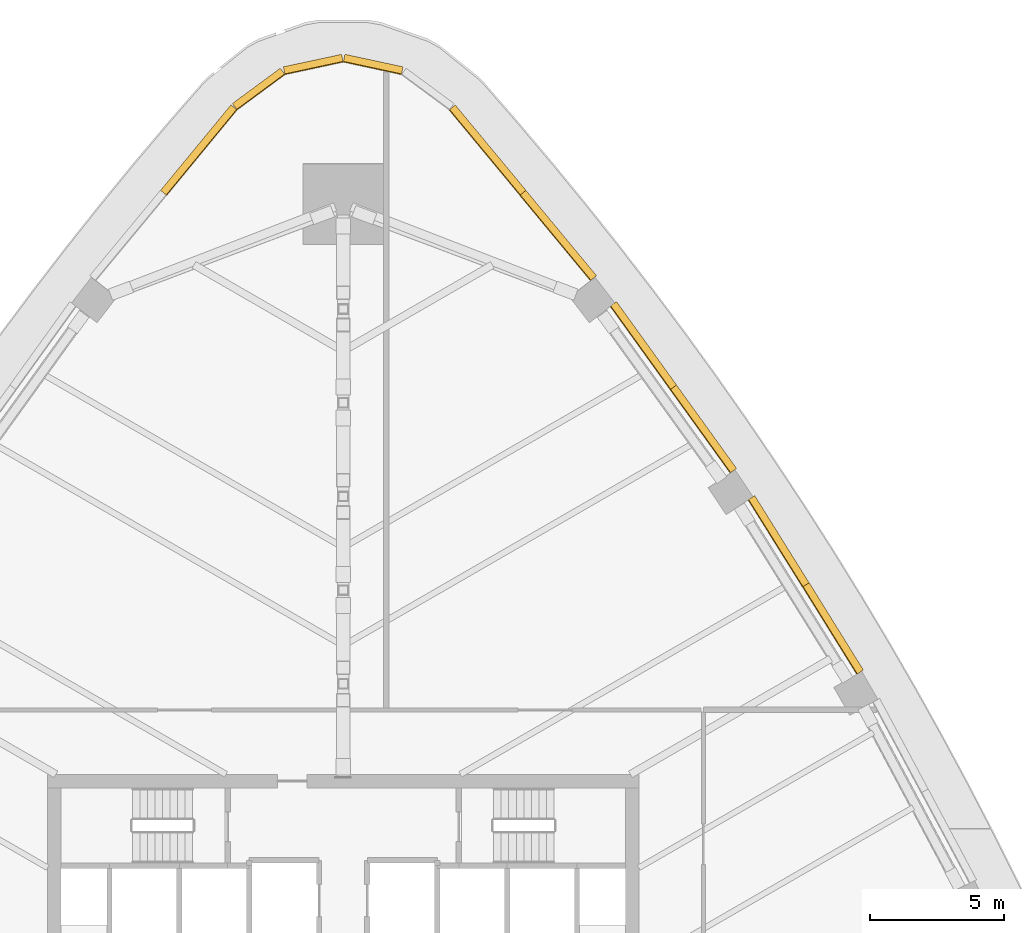
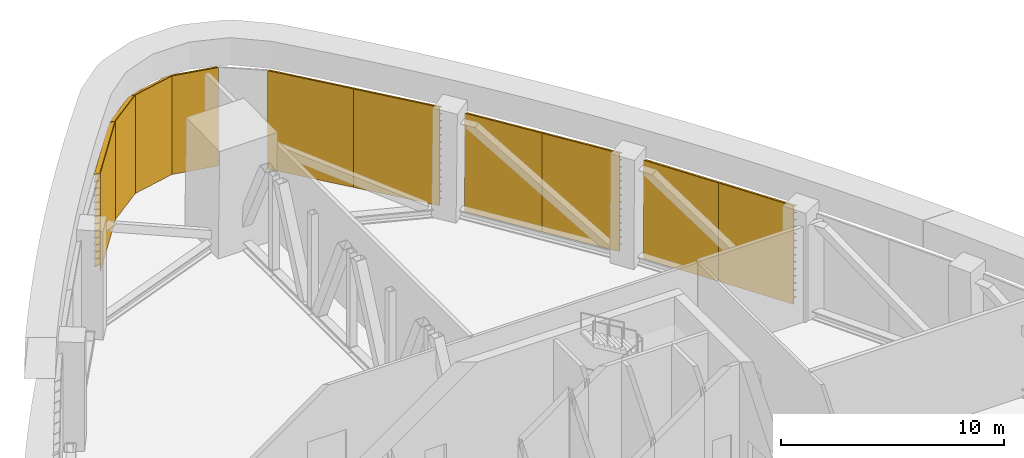
# One storey, part 17 of 18: 10 shading devices.
"""IFC4 building model written with IfcOpenShell, lengths in metres."""

from ifc_helpers import new_model, si_unit, direction, frame, origin, place, context, subcontext, project, spatial, polyline, outline, extrude, material, type_object, element, save


model = new_model("IFC4")

# Units and contexts
model_context = context("Model", 3, precision=1e-05, world=origin(), true_north=direction((0.0, 1.0)))
body_context = subcontext(model_context, "Body", "Model", "MODEL_VIEW")
ifc_project = project(units=[si_unit("LENGTHUNIT", "METRE"), si_unit("AREAUNIT", "SQUARE_METRE"), si_unit("VOLUMEUNIT", "CUBIC_METRE"), si_unit("PLANEANGLEUNIT", "RADIAN"), si_unit("MASSUNIT", "GRAM", prefix="KILO")], contexts=[model_context])

# Site, building, storey
site_placement = place(None, origin())
site = spatial("IfcSite", under=ifc_project, at=site_placement, CompositionType="ELEMENT")
building_placement = place(site_placement, origin())
building = spatial("IfcBuilding", under=site, at=building_placement, Name="Sierra Prisma Convention Tower", CompositionType="ELEMENT")
storey_placement = place(building_placement, frame((0.0, 0.0, 112.60009765625)))
storey = spatial("IfcBuildingStorey", under=building, at=storey_placement, Name="L24", CompositionType="ELEMENT", Elevation=112.60009765625)

# Shading devices
ifc_material = material(Name="Aluminium 6063-T6 bronze anodised", Category="aluminium")
shading_device_type = type_object("IfcShadingDeviceType", Name="Louvre bay bronze", PredefinedType="USERDEFINED", material=ifc_material)
shading_device_1_placement = place(storey_placement, frame((19.105224609375, 11.722900390625, 0.0), z_axis=(0.52751742341, -0.849544211916, 0.0), x_axis=(0.0, 0.0, 1.0)))
element("IfcShadingDevice", 1, at=shading_device_1_placement, inside=storey, type_object=shading_device_type, Name="Louvre L24 NE4.1", ObjectType="LOUVRE", PredefinedType="USERDEFINED", context=body_context, shape_type="SweptSolid", body=[
    extrude(outline(polyline([(0.0, 0.0), (5.39990234375, 0.0), (5.39990234375, -0.030149114934756333), (5.3798828125, -0.030149114934756333), (5.260009765625, -0.30003929156352793), (5.22998046875, -0.30003929156352793), (5.349853515625, -0.030149114934756333), (5.01416015625, -0.030149114934756333), (4.994140625, -0.030149114934756333), (4.874267578125, -0.30003929156352793), (4.84423828125, -0.30003929156352793), (4.964111328125, -0.030149114934756333), (4.62841796875, -0.030149114934756333), (4.6083984375, -0.030149114934756333), (4.488525390625, -0.30003929156352793), (4.45849609375, -0.30003929156352793), (4.578369140625, -0.030149114934756333), (4.24267578125, -0.030149114934756333), (4.22265625, -0.030149114934756333), (4.102783203125, -0.30003929156352793), (4.07275390625, -0.30003929156352793), (4.19287109375, -0.030149114934756333), (3.85693359375, -0.030149114934756333), (3.837158203125, -0.030149114934756333), (3.717041015625, -0.30003929156352793), (3.68701171875, -0.30003929156352793), (3.80712890625, -0.030149114934756333), (3.471435546875, -0.030149114934756333), (3.451416015625, -0.030149114934756333), (3.331298828125, -0.30003929156352793), (3.30126953125, -0.30003929156352793), (3.42138671875, -0.030149114934756333), (3.085693359375, -0.030149114934756333), (3.065673828125, -0.030149114934756333), (2.945556640625, -0.30003929156352793), (2.91552734375, -0.30003929156352793), (3.03564453125, -0.030149114934756333), (2.699951171875, -0.030149114934756333), (2.679931640625, -0.030149114934756333), (2.559814453125, -0.30003929156352793), (2.52978515625, -0.30003929156352793), (2.64990234375, -0.030149114934756333), (2.314208984375, -0.030149114934756333), (2.294189453125, -0.030149114934756333), (2.174072265625, -0.30003929156352793), (2.144287109375, -0.30003929156352793), (2.26416015625, -0.030149114934756333), (1.928466796875, -0.030149114934756333), (1.908447265625, -0.030149114934756333), (1.78857421875, -0.30003929156352793), (1.758544921875, -0.30003929156352793), (1.87841796875, -0.030149114934756333), (1.542724609375, -0.030149114934756333), (1.522705078125, -0.030149114934756333), (1.40283203125, -0.30003929156352793), (1.372802734375, -0.30003929156352793), (1.49267578125, -0.030149114934756333), (1.156982421875, -0.030149114934756333), (1.136962890625, -0.030149114934756333), (1.01708984375, -0.30003929156352793), (0.987060546875, -0.30003929156352793), (1.10693359375, -0.030149114934756333), (0.771240234375, -0.030149114934756333), (0.751220703125, -0.030149114934756333), (0.63134765625, -0.30003929156352793), (0.601318359375, -0.30003929156352793), (0.721435546875, -0.030149114934756333), (0.385498046875, -0.030149114934756333), (0.36572265625, -0.030149114934756333), (0.24560546875, -0.30003929156352793), (0.215576171875, -0.30003929156352793), (0.335693359375, -0.030149114934756333), (0.0, -0.030149114934756333), (0.0, 0.0)])), origin(), (0.0, 0.0, -1.0), 3.823486328125),
])
shading_device_2_placement = place(storey_placement, frame((17.084228515625, 14.968505859375, 0.0), z_axis=(0.529227993266, -0.84847965865, 0.0), x_axis=(0.0, 0.0, 1.0)))
element("IfcShadingDevice", 2, at=shading_device_2_placement, inside=storey, type_object=shading_device_type, Name="Louvre L24 NE4.2", ObjectType="LOUVRE", PredefinedType="USERDEFINED", context=body_context, shape_type="SweptSolid", body=[
    extrude(outline(polyline([(0.0, 0.0), (5.39990234375, 0.0), (5.39990234375, -0.029941822280747165), (5.3798828125, -0.029941822280747165), (5.260009765625, -0.2999104618169163), (5.22998046875, -0.2999104618169163), (5.349853515625, -0.029941822280747165), (5.01416015625, -0.029941822280747165), (4.994140625, -0.029941822280747165), (4.874267578125, -0.2999104618169163), (4.84423828125, -0.2999104618169163), (4.964111328125, -0.029941822280747165), (4.62841796875, -0.029941822280747165), (4.6083984375, -0.029941822280747165), (4.488525390625, -0.2999104618169163), (4.45849609375, -0.2999104618169163), (4.578369140625, -0.029941822280747165), (4.24267578125, -0.029941822280747165), (4.22265625, -0.029941822280747165), (4.102783203125, -0.2999104618169163), (4.07275390625, -0.2999104618169163), (4.19287109375, -0.029941822280747165), (3.85693359375, -0.029941822280747165), (3.837158203125, -0.029941822280747165), (3.717041015625, -0.2999104618169163), (3.68701171875, -0.2999104618169163), (3.80712890625, -0.029941822280747165), (3.471435546875, -0.029941822280747165), (3.451416015625, -0.029941822280747165), (3.331298828125, -0.2999104618169163), (3.30126953125, -0.2999104618169163), (3.42138671875, -0.029941822280747165), (3.085693359375, -0.029941822280747165), (3.065673828125, -0.029941822280747165), (2.945556640625, -0.2999104618169163), (2.91552734375, -0.2999104618169163), (3.03564453125, -0.029941822280747165), (2.699951171875, -0.029941822280747165), (2.679931640625, -0.029941822280747165), (2.559814453125, -0.2999104618169163), (2.52978515625, -0.2999104618169163), (2.64990234375, -0.029941822280747165), (2.314208984375, -0.029941822280747165), (2.294189453125, -0.029941822280747165), (2.174072265625, -0.2999104618169163), (2.144287109375, -0.2999104618169163), (2.26416015625, -0.029941822280747165), (1.928466796875, -0.029941822280747165), (1.908447265625, -0.029941822280747165), (1.78857421875, -0.2999104618169163), (1.758544921875, -0.2999104618169163), (1.87841796875, -0.029941822280747165), (1.542724609375, -0.029941822280747165), (1.522705078125, -0.029941822280747165), (1.40283203125, -0.2999104618169163), (1.372802734375, -0.2999104618169163), (1.49267578125, -0.029941822280747165), (1.156982421875, -0.029941822280747165), (1.136962890625, -0.029941822280747165), (1.01708984375, -0.2999104618169163), (0.987060546875, -0.2999104618169163), (1.10693359375, -0.029941822280747165), (0.771240234375, -0.029941822280747165), (0.751220703125, -0.029941822280747165), (0.63134765625, -0.2999104618169163), (0.601318359375, -0.2999104618169163), (0.721435546875, -0.029941822280747165), (0.385498046875, -0.029941822280747165), (0.36572265625, -0.029941822280747165), (0.24560546875, -0.2999104618169163), (0.215576171875, -0.2999104618169163), (0.335693359375, -0.029941822280747165), (0.0, -0.029941822280747165), (0.0, 0.0)])), origin(), (0.0, 0.0, -1.0), 3.823486328125),
])
shading_device_3_placement = place(storey_placement, frame((14.3955078125, 19.210205078125, 0.0), z_axis=(0.584343904773, -0.811506131188, 0.0), x_axis=(0.0, 0.0, 1.0)))
element("IfcShadingDevice", 3, at=shading_device_3_placement, inside=storey, type_object=shading_device_type, Name="Louvre L24 NE5.1", ObjectType="LOUVRE", PredefinedType="USERDEFINED", context=body_context, shape_type="SweptSolid", body=[
    extrude(outline(polyline([(0.0, 0.0), (5.39990234375, 0.0), (5.39990234375, -0.030083831607028794), (5.3798828125, -0.030083831607028794), (5.260009765625, -0.29995862705585724), (5.22998046875, -0.29995862705585724), (5.349853515625, -0.030083831607028794), (5.01416015625, -0.030083831607028794), (4.994140625, -0.030083831607028794), (4.874267578125, -0.29995862705585724), (4.84423828125, -0.29995862705585724), (4.964111328125, -0.030083831607028794), (4.62841796875, -0.030083831607028794), (4.6083984375, -0.030083831607028794), (4.488525390625, -0.29995862705585724), (4.45849609375, -0.29995862705585724), (4.578369140625, -0.030083831607028794), (4.24267578125, -0.030083831607028794), (4.22265625, -0.030083831607028794), (4.102783203125, -0.29995862705585724), (4.07275390625, -0.29995862705585724), (4.19287109375, -0.030083831607028794), (3.85693359375, -0.030083831607028794), (3.837158203125, -0.030083831607028794), (3.717041015625, -0.29995862705585724), (3.68701171875, -0.29995862705585724), (3.80712890625, -0.030083831607028794), (3.471435546875, -0.030083831607028794), (3.451416015625, -0.030083831607028794), (3.331298828125, -0.29995862705585724), (3.30126953125, -0.29995862705585724), (3.42138671875, -0.030083831607028794), (3.085693359375, -0.030083831607028794), (3.065673828125, -0.030083831607028794), (2.945556640625, -0.29995862705585724), (2.91552734375, -0.29995862705585724), (3.03564453125, -0.030083831607028794), (2.699951171875, -0.030083831607028794), (2.679931640625, -0.030083831607028794), (2.559814453125, -0.29995862705585724), (2.52978515625, -0.29995862705585724), (2.64990234375, -0.030083831607028794), (2.314208984375, -0.030083831607028794), (2.294189453125, -0.030083831607028794), (2.174072265625, -0.29995862705585724), (2.144287109375, -0.29995862705585724), (2.26416015625, -0.030083831607028794), (1.928466796875, -0.030083831607028794), (1.908447265625, -0.030083831607028794), (1.78857421875, -0.29995862705585724), (1.758544921875, -0.29995862705585724), (1.87841796875, -0.030083831607028794), (1.542724609375, -0.030083831607028794), (1.522705078125, -0.030083831607028794), (1.40283203125, -0.29995862705585724), (1.372802734375, -0.29995862705585724), (1.49267578125, -0.030083831607028794), (1.156982421875, -0.030083831607028794), (1.136962890625, -0.030083831607028794), (1.01708984375, -0.29995862705585724), (0.987060546875, -0.29995862705585724), (1.10693359375, -0.030083831607028794), (0.771240234375, -0.030083831607028794), (0.751220703125, -0.030083831607028794), (0.63134765625, -0.29995862705585724), (0.601318359375, -0.29995862705585724), (0.721435546875, -0.030083831607028794), (0.385498046875, -0.030083831607028794), (0.36572265625, -0.030083831607028794), (0.24560546875, -0.29995862705585724), (0.215576171875, -0.29995862705585724), (0.335693359375, -0.030083831607028794), (0.0, -0.030083831607028794), (0.0, 0.0)])), origin(), (0.0, 0.0, -1.0), 3.823486328125),
])
shading_device_4_placement = place(storey_placement, frame((12.162353515625, 22.313720703125, 0.0), z_axis=(0.584167630245, -0.811633032703, 0.0), x_axis=(0.0, 0.0, 1.0)))
element("IfcShadingDevice", 4, at=shading_device_4_placement, inside=storey, type_object=shading_device_type, Name="Louvre L24 NE5.2", ObjectType="LOUVRE", PredefinedType="USERDEFINED", context=body_context, shape_type="SweptSolid", body=[
    extrude(outline(polyline([(0.0, 0.0), (5.39990234375, 0.0), (5.39990234375, -0.030083831212865023), (5.3798828125, -0.030083831212865023), (5.260009765625, -0.3001567688361954), (5.22998046875, -0.3001567688361954), (5.349853515625, -0.030083831212865023), (5.01416015625, -0.030083831212865023), (4.994140625, -0.030083831212865023), (4.874267578125, -0.3001567688361954), (4.84423828125, -0.3001567688361954), (4.964111328125, -0.030083831212865023), (4.62841796875, -0.030083831212865023), (4.6083984375, -0.030083831212865023), (4.488525390625, -0.3001567688361954), (4.45849609375, -0.3001567688361954), (4.578369140625, -0.030083831212865023), (4.24267578125, -0.030083831212865023), (4.22265625, -0.030083831212865023), (4.102783203125, -0.3001567688361954), (4.07275390625, -0.3001567688361954), (4.19287109375, -0.030083831212865023), (3.85693359375, -0.030083831212865023), (3.837158203125, -0.030083831212865023), (3.717041015625, -0.3001567688361954), (3.68701171875, -0.3001567688361954), (3.80712890625, -0.030083831212865023), (3.471435546875, -0.030083831212865023), (3.451416015625, -0.030083831212865023), (3.331298828125, -0.3001567688361954), (3.30126953125, -0.3001567688361954), (3.42138671875, -0.030083831212865023), (3.085693359375, -0.030083831212865023), (3.065673828125, -0.030083831212865023), (2.945556640625, -0.3001567688361954), (2.91552734375, -0.3001567688361954), (3.03564453125, -0.030083831212865023), (2.699951171875, -0.030083831212865023), (2.679931640625, -0.030083831212865023), (2.559814453125, -0.3001567688361954), (2.52978515625, -0.3001567688361954), (2.64990234375, -0.030083831212865023), (2.314208984375, -0.030083831212865023), (2.294189453125, -0.030083831212865023), (2.174072265625, -0.3001567688361954), (2.144287109375, -0.3001567688361954), (2.26416015625, -0.030083831212865023), (1.928466796875, -0.030083831212865023), (1.908447265625, -0.030083831212865023), (1.78857421875, -0.3001567688361954), (1.758544921875, -0.3001567688361954), (1.87841796875, -0.030083831212865023), (1.542724609375, -0.030083831212865023), (1.522705078125, -0.030083831212865023), (1.40283203125, -0.3001567688361954), (1.372802734375, -0.3001567688361954), (1.49267578125, -0.030083831212865023), (1.156982421875, -0.030083831212865023), (1.136962890625, -0.030083831212865023), (1.01708984375, -0.3001567688361954), (0.987060546875, -0.3001567688361954), (1.10693359375, -0.030083831212865023), (0.771240234375, -0.030083831212865023), (0.751220703125, -0.030083831212865023), (0.63134765625, -0.3001567688361954), (0.601318359375, -0.3001567688361954), (0.721435546875, -0.030083831212865023), (0.385498046875, -0.030083831212865023), (0.36572265625, -0.030083831212865023), (0.24560546875, -0.3001567688361954), (0.215576171875, -0.3001567688361954), (0.335693359375, -0.030083831212865023), (0.0, -0.030083831212865023), (0.0, 0.0)])), origin(), (0.0, 0.0, -1.0), 3.823486328125),
])
shading_device_5_placement = place(storey_placement, frame((9.19677734375, 26.366943359375, 0.0), z_axis=(0.637729309868, -0.770260558081, 0.0), x_axis=(0.0, 0.0, 1.0)))
element("IfcShadingDevice", 5, at=shading_device_5_placement, inside=storey, type_object=shading_device_type, Name="Louvre L24 NE6.1", ObjectType="LOUVRE", PredefinedType="USERDEFINED", context=body_context, shape_type="SweptSolid", body=[
    extrude(outline(polyline([(0.0, 0.0), (5.39990234375, 0.0), (5.39990234375, -0.0298211373606738), (5.3798828125, -0.0298211373606738), (5.260009765625, -0.29983912812976116), (5.22998046875, -0.29983912812976116), (5.349853515625, -0.0298211373606738), (5.01416015625, -0.0298211373606738), (4.994140625, -0.0298211373606738), (4.874267578125, -0.29983912812976116), (4.84423828125, -0.29983912812976116), (4.964111328125, -0.0298211373606738), (4.62841796875, -0.0298211373606738), (4.6083984375, -0.0298211373606738), (4.488525390625, -0.29983912812976116), (4.45849609375, -0.29983912812976116), (4.578369140625, -0.0298211373606738), (4.24267578125, -0.0298211373606738), (4.22265625, -0.0298211373606738), (4.102783203125, -0.29983912812976116), (4.07275390625, -0.29983912812976116), (4.19287109375, -0.0298211373606738), (3.85693359375, -0.0298211373606738), (3.837158203125, -0.0298211373606738), (3.717041015625, -0.29983912812976116), (3.68701171875, -0.29983912812976116), (3.80712890625, -0.0298211373606738), (3.471435546875, -0.0298211373606738), (3.451416015625, -0.0298211373606738), (3.331298828125, -0.29983912812976116), (3.30126953125, -0.29983912812976116), (3.42138671875, -0.0298211373606738), (3.085693359375, -0.0298211373606738), (3.065673828125, -0.0298211373606738), (2.945556640625, -0.29983912812976116), (2.91552734375, -0.29983912812976116), (3.03564453125, -0.0298211373606738), (2.699951171875, -0.0298211373606738), (2.679931640625, -0.0298211373606738), (2.559814453125, -0.29983912812976116), (2.52978515625, -0.29983912812976116), (2.64990234375, -0.0298211373606738), (2.314208984375, -0.0298211373606738), (2.294189453125, -0.0298211373606738), (2.174072265625, -0.29983912812976116), (2.144287109375, -0.29983912812976116), (2.26416015625, -0.0298211373606738), (1.928466796875, -0.0298211373606738), (1.908447265625, -0.0298211373606738), (1.78857421875, -0.29983912812976116), (1.758544921875, -0.29983912812976116), (1.87841796875, -0.0298211373606738), (1.542724609375, -0.0298211373606738), (1.522705078125, -0.0298211373606738), (1.40283203125, -0.29983912812976116), (1.372802734375, -0.29983912812976116), (1.49267578125, -0.0298211373606738), (1.156982421875, -0.0298211373606738), (1.136962890625, -0.0298211373606738), (1.01708984375, -0.29983912812976116), (0.987060546875, -0.29983912812976116), (1.10693359375, -0.0298211373606738), (0.771240234375, -0.0298211373606738), (0.751220703125, -0.0298211373606738), (0.63134765625, -0.29983912812976116), (0.601318359375, -0.29983912812976116), (0.721435546875, -0.0298211373606738), (0.385498046875, -0.0298211373606738), (0.36572265625, -0.0298211373606738), (0.24560546875, -0.29983912812976116), (0.215576171875, -0.29983912812976116), (0.335693359375, -0.0298211373606738), (0.0, -0.0298211373606738), (0.0, 0.0)])), origin(), (0.0, 0.0, -1.0), 4.123291015625),
])
shading_device_6_placement = place(storey_placement, frame((6.570556640625, 29.545654296875, 0.0), z_axis=(0.638398641609, -0.769705901233, 0.0), x_axis=(0.0, 0.0, 1.0)))
element("IfcShadingDevice", 6, at=shading_device_6_placement, inside=storey, type_object=shading_device_type, Name="Louvre L24 NE6.2", ObjectType="LOUVRE", PredefinedType="USERDEFINED", context=body_context, shape_type="SweptSolid", body=[
    extrude(outline(polyline([(0.0, 0.0), (5.39990234375, 0.0), (5.39990234375, -0.030164930005902528), (5.3798828125, -0.030164930005902528), (5.260009765625, -0.2999945373161155), (5.22998046875, -0.2999945373161155), (5.349853515625, -0.030164930005902528), (5.01416015625, -0.030164930005902528), (4.994140625, -0.030164930005902528), (4.874267578125, -0.2999945373161155), (4.84423828125, -0.2999945373161155), (4.964111328125, -0.030164930005902528), (4.62841796875, -0.030164930005902528), (4.6083984375, -0.030164930005902528), (4.488525390625, -0.2999945373161155), (4.45849609375, -0.2999945373161155), (4.578369140625, -0.030164930005902528), (4.24267578125, -0.030164930005902528), (4.22265625, -0.030164930005902528), (4.102783203125, -0.2999945373161155), (4.07275390625, -0.2999945373161155), (4.19287109375, -0.030164930005902528), (3.85693359375, -0.030164930005902528), (3.837158203125, -0.030164930005902528), (3.717041015625, -0.2999945373161155), (3.68701171875, -0.2999945373161155), (3.80712890625, -0.030164930005902528), (3.471435546875, -0.030164930005902528), (3.451416015625, -0.030164930005902528), (3.331298828125, -0.2999945373161155), (3.30126953125, -0.2999945373161155), (3.42138671875, -0.030164930005902528), (3.085693359375, -0.030164930005902528), (3.065673828125, -0.030164930005902528), (2.945556640625, -0.2999945373161155), (2.91552734375, -0.2999945373161155), (3.03564453125, -0.030164930005902528), (2.699951171875, -0.030164930005902528), (2.679931640625, -0.030164930005902528), (2.559814453125, -0.2999945373161155), (2.52978515625, -0.2999945373161155), (2.64990234375, -0.030164930005902528), (2.314208984375, -0.030164930005902528), (2.294189453125, -0.030164930005902528), (2.174072265625, -0.2999945373161155), (2.144287109375, -0.2999945373161155), (2.26416015625, -0.030164930005902528), (1.928466796875, -0.030164930005902528), (1.908447265625, -0.030164930005902528), (1.78857421875, -0.2999945373161155), (1.758544921875, -0.2999945373161155), (1.87841796875, -0.030164930005902528), (1.542724609375, -0.030164930005902528), (1.522705078125, -0.030164930005902528), (1.40283203125, -0.2999945373161155), (1.372802734375, -0.2999945373161155), (1.49267578125, -0.030164930005902528), (1.156982421875, -0.030164930005902528), (1.136962890625, -0.030164930005902528), (1.01708984375, -0.2999945373161155), (0.987060546875, -0.2999945373161155), (1.10693359375, -0.030164930005902528), (0.771240234375, -0.030164930005902528), (0.751220703125, -0.030164930005902528), (0.63134765625, -0.2999945373161155), (0.601318359375, -0.2999945373161155), (0.721435546875, -0.030164930005902528), (0.385498046875, -0.030164930005902528), (0.36572265625, -0.030164930005902528), (0.24560546875, -0.2999945373161155), (0.215576171875, -0.2999945373161155), (0.335693359375, -0.030164930005902528), (0.0, -0.030164930005902528), (0.0, 0.0)])), origin(), (0.0, 0.0, -1.0), 4.123291015625),
])
shading_device_7_placement = place(storey_placement, frame((2.163330078125, 34.03759765625, 0.0), z_axis=(0.977493734247, -0.210964450816, 0.0), x_axis=(0.0, 0.0, 1.0)))
element("IfcShadingDevice", 7, at=shading_device_7_placement, inside=storey, type_object=shading_device_type, Name="Louvre L24 N2.1", ObjectType="LOUVRE", PredefinedType="USERDEFINED", context=body_context, shape_type="SweptSolid", body=[
    extrude(outline(polyline([(0.0, 0.0), (5.39990234375, 0.0), (5.39990234375, -0.02997664156026396), (5.3798828125, -0.02997664156026396), (5.260009765625, -0.2999020515481024), (5.22998046875, -0.2999020515481024), (5.349853515625, -0.02997664156026396), (5.01416015625, -0.02997664156026396), (4.994140625, -0.02997664156026396), (4.874267578125, -0.2999020515481024), (4.84423828125, -0.2999020515481024), (4.964111328125, -0.02997664156026396), (4.62841796875, -0.02997664156026396), (4.6083984375, -0.02997664156026396), (4.488525390625, -0.2999020515481024), (4.45849609375, -0.2999020515481024), (4.578369140625, -0.02997664156026396), (4.24267578125, -0.02997664156026396), (4.22265625, -0.02997664156026396), (4.102783203125, -0.2999020515481024), (4.07275390625, -0.2999020515481024), (4.19287109375, -0.02997664156026396), (3.85693359375, -0.02997664156026396), (3.837158203125, -0.02997664156026396), (3.717041015625, -0.2999020515481024), (3.68701171875, -0.2999020515481024), (3.80712890625, -0.02997664156026396), (3.471435546875, -0.02997664156026396), (3.451416015625, -0.02997664156026396), (3.331298828125, -0.2999020515481024), (3.30126953125, -0.2999020515481024), (3.42138671875, -0.02997664156026396), (3.085693359375, -0.02997664156026396), (3.065673828125, -0.02997664156026396), (2.945556640625, -0.2999020515481024), (2.91552734375, -0.2999020515481024), (3.03564453125, -0.02997664156026396), (2.699951171875, -0.02997664156026396), (2.679931640625, -0.02997664156026396), (2.559814453125, -0.2999020515481024), (2.52978515625, -0.2999020515481024), (2.64990234375, -0.02997664156026396), (2.314208984375, -0.02997664156026396), (2.294189453125, -0.02997664156026396), (2.174072265625, -0.2999020515481024), (2.144287109375, -0.2999020515481024), (2.26416015625, -0.02997664156026396), (1.928466796875, -0.02997664156026396), (1.908447265625, -0.02997664156026396), (1.78857421875, -0.2999020515481024), (1.758544921875, -0.2999020515481024), (1.87841796875, -0.02997664156026396), (1.542724609375, -0.02997664156026396), (1.522705078125, -0.02997664156026396), (1.40283203125, -0.2999020515481024), (1.372802734375, -0.2999020515481024), (1.49267578125, -0.02997664156026396), (1.156982421875, -0.02997664156026396), (1.136962890625, -0.02997664156026396), (1.01708984375, -0.2999020515481024), (0.987060546875, -0.2999020515481024), (1.10693359375, -0.02997664156026396), (0.771240234375, -0.02997664156026396), (0.751220703125, -0.02997664156026396), (0.63134765625, -0.2999020515481024), (0.601318359375, -0.2999020515481024), (0.721435546875, -0.02997664156026396), (0.385498046875, -0.02997664156026396), (0.36572265625, -0.02997664156026396), (0.24560546875, -0.2999020515481024), (0.215576171875, -0.2999020515481024), (0.335693359375, -0.02997664156026396), (0.0, -0.02997664156026396), (0.0, 0.0)])), origin(), (0.0, 0.0, -1.0), 2.212646484375),
])
shading_device_8_placement = place(storey_placement, frame((0.0, 34.50244140625, 0.0), z_axis=(0.977705410943, 0.209981259671, 0.0), x_axis=(0.0, 0.0, 1.0)))
element("IfcShadingDevice", 8, at=shading_device_8_placement, inside=storey, type_object=shading_device_type, Name="Louvre L24 N3.1", ObjectType="LOUVRE", PredefinedType="USERDEFINED", context=body_context, shape_type="SweptSolid", body=[
    extrude(outline(polyline([(0.0, 0.0), (5.39990234375, 0.0), (5.39990234375, -0.03021529967664407), (5.3798828125, -0.03021529967664407), (5.260009765625, -0.30014088597374416), (5.22998046875, -0.30014088597374416), (5.349853515625, -0.03021529967664407), (5.01416015625, -0.03021529967664407), (4.994140625, -0.03021529967664407), (4.874267578125, -0.30014088597374416), (4.84423828125, -0.30014088597374416), (4.964111328125, -0.03021529967664407), (4.62841796875, -0.03021529967664407), (4.6083984375, -0.03021529967664407), (4.488525390625, -0.30014088597374416), (4.45849609375, -0.30014088597374416), (4.578369140625, -0.03021529967664407), (4.24267578125, -0.03021529967664407), (4.22265625, -0.03021529967664407), (4.102783203125, -0.30014088597374416), (4.07275390625, -0.30014088597374416), (4.19287109375, -0.03021529967664407), (3.85693359375, -0.03021529967664407), (3.837158203125, -0.03021529967664407), (3.717041015625, -0.30014088597374416), (3.68701171875, -0.30014088597374416), (3.80712890625, -0.03021529967664407), (3.471435546875, -0.03021529967664407), (3.451416015625, -0.03021529967664407), (3.331298828125, -0.30014088597374416), (3.30126953125, -0.30014088597374416), (3.42138671875, -0.03021529967664407), (3.085693359375, -0.03021529967664407), (3.065673828125, -0.03021529967664407), (2.945556640625, -0.30014088597374416), (2.91552734375, -0.30014088597374416), (3.03564453125, -0.03021529967664407), (2.699951171875, -0.03021529967664407), (2.679931640625, -0.03021529967664407), (2.559814453125, -0.30014088597374416), (2.52978515625, -0.30014088597374416), (2.64990234375, -0.03021529967664407), (2.314208984375, -0.03021529967664407), (2.294189453125, -0.03021529967664407), (2.174072265625, -0.30014088597374416), (2.144287109375, -0.30014088597374416), (2.26416015625, -0.03021529967664407), (1.928466796875, -0.03021529967664407), (1.908447265625, -0.03021529967664407), (1.78857421875, -0.30014088597374416), (1.758544921875, -0.30014088597374416), (1.87841796875, -0.03021529967664407), (1.542724609375, -0.03021529967664407), (1.522705078125, -0.03021529967664407), (1.40283203125, -0.30014088597374416), (1.372802734375, -0.30014088597374416), (1.49267578125, -0.03021529967664407), (1.156982421875, -0.03021529967664407), (1.136962890625, -0.03021529967664407), (1.01708984375, -0.30014088597374416), (0.987060546875, -0.30014088597374416), (1.10693359375, -0.03021529967664407), (0.771240234375, -0.03021529967664407), (0.751220703125, -0.03021529967664407), (0.63134765625, -0.30014088597374416), (0.601318359375, -0.30014088597374416), (0.721435546875, -0.03021529967664407), (0.385498046875, -0.03021529967664407), (0.36572265625, -0.03021529967664407), (0.24560546875, -0.30014088597374416), (0.215576171875, -0.30014088597374416), (0.335693359375, -0.03021529967664407), (0.0, -0.03021529967664407), (0.0, 0.0)])), origin(), (0.0, 0.0, -1.0), 2.212646484375),
])
shading_device_9_placement = place(storey_placement, frame((-2.163330078125, 34.03759765625, 0.0), z_axis=(0.804898134724, 0.593413003496, 0.0), x_axis=(0.0, 0.0, 1.0)))
element("IfcShadingDevice", 9, at=shading_device_9_placement, inside=storey, type_object=shading_device_type, Name="Louvre L24 N4.1", ObjectType="LOUVRE", PredefinedType="USERDEFINED", context=body_context, shape_type="SweptSolid", body=[
    extrude(outline(polyline([(0.0, 0.0), (5.39990234375, 0.0), (5.39990234375, -0.03003028920724229), (5.3798828125, -0.03003028920724229), (5.260009765625, -0.29996150751719347), (5.22998046875, -0.29996150751719347), (5.349853515625, -0.03003028920724229), (5.01416015625, -0.03003028920724229), (4.994140625, -0.03003028920724229), (4.874267578125, -0.29996150751719347), (4.84423828125, -0.29996150751719347), (4.964111328125, -0.03003028920724229), (4.62841796875, -0.03003028920724229), (4.6083984375, -0.03003028920724229), (4.488525390625, -0.29996150751719347), (4.45849609375, -0.29996150751719347), (4.578369140625, -0.03003028920724229), (4.24267578125, -0.03003028920724229), (4.22265625, -0.03003028920724229), (4.102783203125, -0.29996150751719347), (4.07275390625, -0.29996150751719347), (4.19287109375, -0.03003028920724229), (3.85693359375, -0.03003028920724229), (3.837158203125, -0.03003028920724229), (3.717041015625, -0.29996150751719347), (3.68701171875, -0.29996150751719347), (3.80712890625, -0.03003028920724229), (3.471435546875, -0.03003028920724229), (3.451416015625, -0.03003028920724229), (3.331298828125, -0.29996150751719347), (3.30126953125, -0.29996150751719347), (3.42138671875, -0.03003028920724229), (3.085693359375, -0.03003028920724229), (3.065673828125, -0.03003028920724229), (2.945556640625, -0.29996150751719347), (2.91552734375, -0.29996150751719347), (3.03564453125, -0.03003028920724229), (2.699951171875, -0.03003028920724229), (2.679931640625, -0.03003028920724229), (2.559814453125, -0.29996150751719347), (2.52978515625, -0.29996150751719347), (2.64990234375, -0.03003028920724229), (2.314208984375, -0.03003028920724229), (2.294189453125, -0.03003028920724229), (2.174072265625, -0.29996150751719347), (2.144287109375, -0.29996150751719347), (2.26416015625, -0.03003028920724229), (1.928466796875, -0.03003028920724229), (1.908447265625, -0.03003028920724229), (1.78857421875, -0.29996150751719347), (1.758544921875, -0.29996150751719347), (1.87841796875, -0.03003028920724229), (1.542724609375, -0.03003028920724229), (1.522705078125, -0.03003028920724229), (1.40283203125, -0.29996150751719347), (1.372802734375, -0.29996150751719347), (1.49267578125, -0.03003028920724229), (1.156982421875, -0.03003028920724229), (1.136962890625, -0.03003028920724229), (1.01708984375, -0.29996150751719347), (0.987060546875, -0.29996150751719347), (1.10693359375, -0.03003028920724229), (0.771240234375, -0.03003028920724229), (0.751220703125, -0.03003028920724229), (0.63134765625, -0.29996150751719347), (0.601318359375, -0.29996150751719347), (0.721435546875, -0.03003028920724229), (0.385498046875, -0.03003028920724229), (0.36572265625, -0.03003028920724229), (0.24560546875, -0.29996150751719347), (0.215576171875, -0.29996150751719347), (0.335693359375, -0.03003028920724229), (0.0, -0.03003028920724229), (0.0, 0.0)])), origin(), (0.0, 0.0, -1.0), 2.212646484375),
])
shading_device_10_placement = place(storey_placement, frame((-3.9443359375, 32.724609375, 0.0), z_axis=(0.635780036732, 0.7718702902, 0.0), x_axis=(0.0, 0.0, 1.0)))
element("IfcShadingDevice", 10, at=shading_device_10_placement, inside=storey, type_object=shading_device_type, Name="Louvre L24 NW1.1", ObjectType="LOUVRE", PredefinedType="USERDEFINED", context=body_context, shape_type="SweptSolid", body=[
    extrude(outline(polyline([(0.0, 0.0), (5.39990234375, 0.0), (5.39990234375, -0.030009404402849816), (5.3798828125, -0.030009404402849816), (5.260009765625, -0.29999436854988437), (5.22998046875, -0.29999436854988437), (5.349853515625, -0.030009404402849816), (5.01416015625, -0.030009404402849816), (4.994140625, -0.030009404402849816), (4.874267578125, -0.29999436854988437), (4.84423828125, -0.29999436854988437), (4.964111328125, -0.030009404402849816), (4.62841796875, -0.030009404402849816), (4.6083984375, -0.030009404402849816), (4.488525390625, -0.29999436854988437), (4.45849609375, -0.29999436854988437), (4.578369140625, -0.030009404402849816), (4.24267578125, -0.030009404402849816), (4.22265625, -0.030009404402849816), (4.102783203125, -0.29999436854988437), (4.07275390625, -0.29999436854988437), (4.19287109375, -0.030009404402849816), (3.85693359375, -0.030009404402849816), (3.837158203125, -0.030009404402849816), (3.717041015625, -0.29999436854988437), (3.68701171875, -0.29999436854988437), (3.80712890625, -0.030009404402849816), (3.471435546875, -0.030009404402849816), (3.451416015625, -0.030009404402849816), (3.331298828125, -0.29999436854988437), (3.30126953125, -0.29999436854988437), (3.42138671875, -0.030009404402849816), (3.085693359375, -0.030009404402849816), (3.065673828125, -0.030009404402849816), (2.945556640625, -0.29999436854988437), (2.91552734375, -0.29999436854988437), (3.03564453125, -0.030009404402849816), (2.699951171875, -0.030009404402849816), (2.679931640625, -0.030009404402849816), (2.559814453125, -0.29999436854988437), (2.52978515625, -0.29999436854988437), (2.64990234375, -0.030009404402849816), (2.314208984375, -0.030009404402849816), (2.294189453125, -0.030009404402849816), (2.174072265625, -0.29999436854988437), (2.144287109375, -0.29999436854988437), (2.26416015625, -0.030009404402849816), (1.928466796875, -0.030009404402849816), (1.908447265625, -0.030009404402849816), (1.78857421875, -0.29999436854988437), (1.758544921875, -0.29999436854988437), (1.87841796875, -0.030009404402849816), (1.542724609375, -0.030009404402849816), (1.522705078125, -0.030009404402849816), (1.40283203125, -0.29999436854988437), (1.372802734375, -0.29999436854988437), (1.49267578125, -0.030009404402849816), (1.156982421875, -0.030009404402849816), (1.136962890625, -0.030009404402849816), (1.01708984375, -0.29999436854988437), (0.987060546875, -0.29999436854988437), (1.10693359375, -0.030009404402849816), (0.771240234375, -0.030009404402849816), (0.751220703125, -0.030009404402849816), (0.63134765625, -0.29999436854988437), (0.601318359375, -0.29999436854988437), (0.721435546875, -0.030009404402849816), (0.385498046875, -0.030009404402849816), (0.36572265625, -0.030009404402849816), (0.24560546875, -0.29999436854988437), (0.215576171875, -0.29999436854988437), (0.335693359375, -0.030009404402849816), (0.0, -0.030009404402849816), (0.0, 0.0)])), origin(), (0.0, 0.0, -1.0), 4.123291015625),
])

save(model, "model.ifc")
